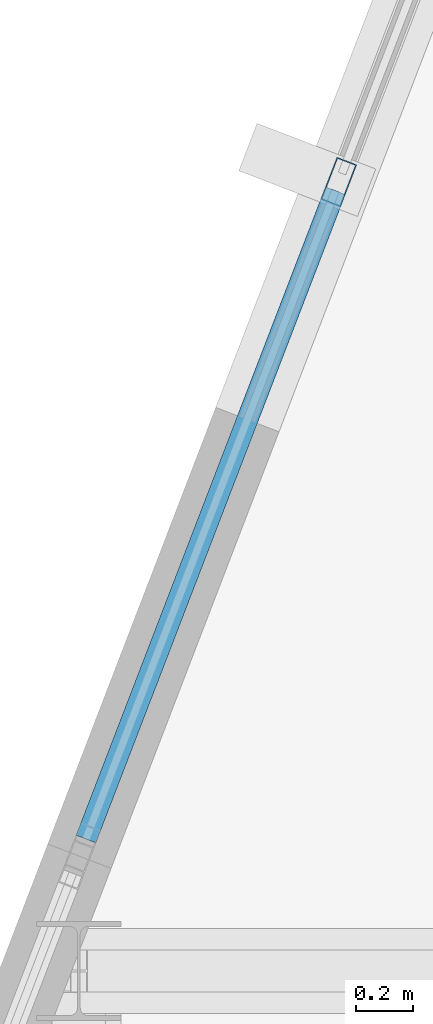
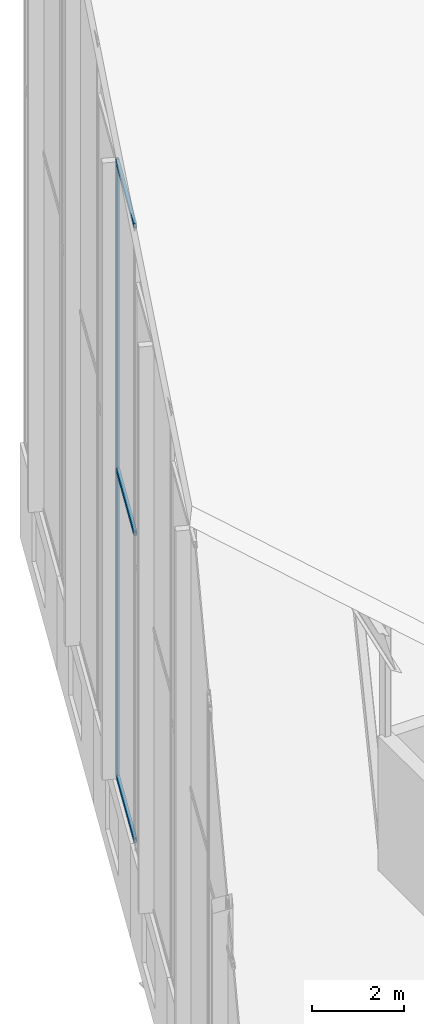
# One storey, part 25 of 74: 4 members, 1 element without a shape of its own.
"""IFC4 building model written with IfcOpenShell, lengths in metres."""

from ifc_helpers import new_model, si_unit, direction, frame, origin, origin_2d, place, context, subcontext, project, spatial, hollow_rectangle, extrude, material, layer, layer_set, material_profile, profile_set, type_object, element, aggregate, save


model = new_model("IFC4")

# Units and contexts
model_context = context("Model", 3, precision=1e-05, world=origin(), true_north=direction((0.0, 1.0)))
body_context = subcontext(model_context, "Body", "Model", "MODEL_VIEW")
ifc_project = project(units=[si_unit("LENGTHUNIT", "METRE"), si_unit("AREAUNIT", "SQUARE_METRE"), si_unit("VOLUMEUNIT", "CUBIC_METRE"), si_unit("PLANEANGLEUNIT", "RADIAN"), si_unit("MASSUNIT", "GRAM", prefix="KILO")], contexts=[model_context])

# Site, building, storey
site_placement = place(None, origin())
site = spatial("IfcSite", under=ifc_project, at=site_placement, CompositionType="ELEMENT")
building_placement = place(site_placement, origin())
building = spatial("IfcBuilding", under=site, at=building_placement, Name="Keshet Zoharim Tower", CompositionType="ELEMENT")
storey_placement = place(building_placement, frame((0.0, 0.0, 320.0)))
storey = spatial("IfcBuildingStorey", under=building, at=storey_placement, Name="RF", CompositionType="ELEMENT", Elevation=320.0)

# Curtain wall, members
ifc_material = material(Name="Aluminium 6063-T6", Category="aluminium")
ifc_layer = layer(ifc_material, 0.260009765625)
ifc_layer_set = layer_set([ifc_layer], Name="Aluminium 6063-T6")
curtain_wall_type = type_object("IfcCurtainWallType", Name="CW-SYS-06", PredefinedType="NOTDEFINED", material=ifc_layer_set)
curtain_wall_placement = place(storey_placement, origin())
curtain_wall = element("IfcCurtainWall", 1, at=curtain_wall_placement, inside=storey, type_object=curtain_wall_type, Name="Slanted Crown Curtain Wall 06", PredefinedType="NOTDEFINED")
ifc_material_profile_1 = material_profile(ifc_material, hollow_rectangle(XDim=0.074951171875, YDim=0.159912109375, WallThickness=0.00390625, at=origin_2d()), Name="MUL-75x160")
ifc_profile_set_1 = profile_set([ifc_material_profile_1], Name="Aluminium 6063-T6")
member_type_1 = type_object("IfcMemberType", Name="CWM-M15", PredefinedType="MULLION", material=ifc_profile_set_1)
member_1_placement = place(storey_placement, frame((9.91943359375, 40.69091796875, 2.5), z_axis=(0.0, 0.0, 1.0), x_axis=(-0.933320389385, 0.359044636163, 0.0)))
member_1 = element("IfcMember", 2, at=member_1_placement, type_object=member_type_1, Name="CW-06 mullion 2", PredefinedType="MULLION", context=body_context, shape_type="SweptSolid", body=[
    extrude(hollow_rectangle(XDim=0.074951171875, YDim=0.159912109375, WallThickness=0.00390625, at=origin_2d()), origin(), (0.0, 0.0, 1.0), 16.30810546875),
])
ifc_material_profile_2 = material_profile(ifc_material, hollow_rectangle(XDim=0.074951171875, YDim=0.1201171875, WallThickness=0.00390625, at=origin_2d()), Name="TRN-75x120")
ifc_profile_set_2 = profile_set([ifc_material_profile_2], Name="Aluminium 6063-T6")
member_type_2 = type_object("IfcMemberType", Name="CWT-T12", PredefinedType="USERDEFINED", material=ifc_profile_set_2)
member_2_placement = place(storey_placement, frame((9.025390625, 38.36669921875, 2.532470703125), z_axis=(0.358992392051, 0.933340485809, 0.0), x_axis=(-0.933340485809, 0.358992392051, 0.0)))
member_2 = element("IfcMember", 3, at=member_2_placement, type_object=member_type_2, Name="CW-06 transom 1.1", ObjectType="TRANSOM", PredefinedType="USERDEFINED", context=body_context, shape_type="SweptSolid", body=[
    extrude(hollow_rectangle(XDim=0.074951171875, YDim=0.1201171875, WallThickness=0.00390625, at=origin_2d()), origin(), (0.0, 0.0, 1.0), 2.457763671875),
])
member_3_placement = place(storey_placement, frame((9.025390625, 38.36669921875, 10.654052734375), z_axis=(0.358992392051, 0.933340485809, 0.0), x_axis=(-0.933340485809, 0.358992392051, 0.0)))
member_3 = element("IfcMember", 4, at=member_3_placement, type_object=member_type_2, Name="CW-06 transom 1.2", ObjectType="TRANSOM", PredefinedType="USERDEFINED", context=body_context, shape_type="SweptSolid", body=[
    extrude(hollow_rectangle(XDim=0.074951171875, YDim=0.1201171875, WallThickness=0.00390625, at=origin_2d()), origin(), (0.0, 0.0, 1.0), 2.457763671875),
])
member_4_placement = place(storey_placement, frame((9.025390625, 38.36669921875, 18.775390625), z_axis=(0.358992392051, 0.933340485809, 0.0), x_axis=(-0.933340485809, 0.358992392051, 0.0)))
member_4 = element("IfcMember", 5, at=member_4_placement, type_object=member_type_2, Name="CW-06 transom 1.3", ObjectType="TRANSOM", PredefinedType="USERDEFINED", context=body_context, shape_type="SweptSolid", body=[
    extrude(hollow_rectangle(XDim=0.074951171875, YDim=0.1201171875, WallThickness=0.00390625, at=origin_2d()), origin(), (0.0, 0.0, 1.0), 2.457763671875),
])
aggregate(curtain_wall, [member_1, member_2, member_3, member_4])

save(model, "model.ifc")
